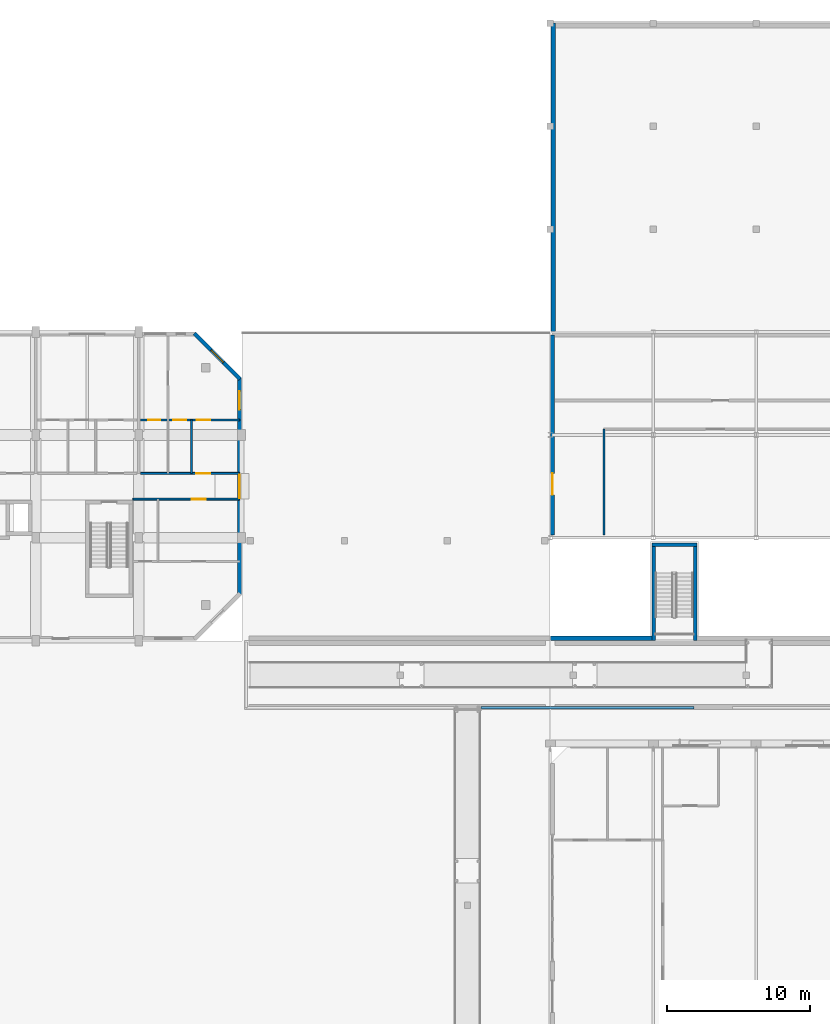
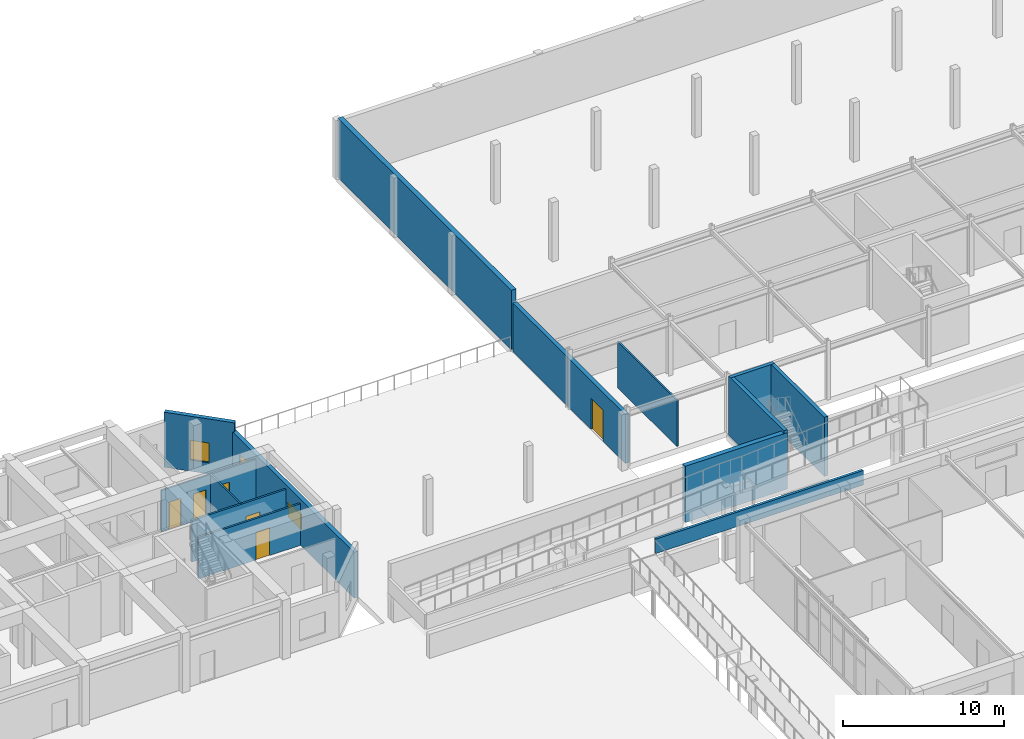
# One storey, part 62 of 85: 14 walls, 6 doors, 3 windows, 9 openings.
"""IFC4 building model written with IfcOpenShell, lengths in metres."""

from ifc_helpers import new_model, si_unit, direction, frame, frame_2d, origin, place, context, subcontext, project, spatial, rectangle, extrude, material, layer, layer_set, type_object, element, fill, save


model = new_model("IFC4")

# Units and contexts
model_context = context("Model", 3, precision=1e-05, world=origin(), true_north=direction((0.0, 1.0)))
body_context = subcontext(model_context, "Body", "Model", "MODEL_VIEW")
ifc_project = project(units=[si_unit("LENGTHUNIT", "METRE"), si_unit("AREAUNIT", "SQUARE_METRE"), si_unit("VOLUMEUNIT", "CUBIC_METRE"), si_unit("PLANEANGLEUNIT", "RADIAN"), si_unit("MASSUNIT", "GRAM", prefix="KILO")], contexts=[model_context])

# Site, building, storey
site_placement = place(None, origin())
site = spatial("IfcSite", under=ifc_project, at=site_placement, CompositionType="ELEMENT")
building_placement = place(site_placement, origin())
building = spatial("IfcBuilding", under=site, at=building_placement, Name="Ochrevale Crest", CompositionType="ELEMENT")
storey_placement = place(building_placement, origin())
storey = spatial("IfcBuildingStorey", under=building, at=storey_placement, Name="L00", CompositionType="ELEMENT", Elevation=0.0)

# Wall, opening, door
ifc_material_1 = material(Name="Gypsum plasterboard", Category="gypsum")
ifc_layer_1 = layer(ifc_material_1, 0.139892578125)
ifc_layer_set_1 = layer_set([ifc_layer_1], Name="Gypsum plasterboard")
wall_type_1 = type_object("IfcWallType", Name="WL-COR-140", PredefinedType="PARTITIONING", material=ifc_layer_set_1)
wall_1_placement = place(storey_placement, frame((28.93994140625, 83.699951171875, 0.0), z_axis=(0.0, 0.0, 1.0), x_axis=(1.0, 0.0, 0.0)))
wall_1 = element("IfcWall", 1, at=wall_1_placement, inside=storey, type_object=wall_type_1, Name="Apartment B-L00-U5 corridor wall", PredefinedType="PARTITIONING", context=body_context, shape_type="SweptSolid", body=[
    extrude(rectangle(XDim=6.920166015625, YDim=0.139892578125, at=frame_2d((3.4599609375, 0.0))), origin(), (0.0, 0.0, 1.0), 3.14990234375),
])
opening_1_placement = place(wall_1_placement, frame((3.89501953125, 0.0, 0.0)))
opening_1 = element("IfcOpeningElement", 2, at=opening_1_placement, cuts=wall_1, Name="Opening FD01", PredefinedType="OPENING", context=body_context, shape_type="SweptSolid", body=[
    extrude(rectangle(XDim=0.97998046875, YDim=2.10009765625, at=frame_2d((0.489990234375, 1.050048828125))), frame((0.0, 0.080078125, 0.0), z_axis=(0.0, -1.0, 0.0), x_axis=(1.0, 0.0, 0.0)), (0.0, 0.0, 1.0), 0.159912109375),
])
ifc_material_2 = material(Name="Solid-core FSC hardwood", Category="wood")
door_type_1 = type_object("IfcDoorType", Name="DR-APT-950", OperationType="NOTDEFINED", PredefinedType="DOOR", material=ifc_material_2)
door_1_placement = place(opening_1_placement, origin())
door_1 = element("IfcDoor", 3, at=door_1_placement, inside=storey, type_object=door_type_1, Name="Apartment B-L00-U5 entrance door", OperationType="SINGLE_SWING_LEFT", OverallHeight=2.10009765625, OverallWidth=0.97998046875, PredefinedType="DOOR", context=body_context, shape_type="SweptSolid", body=[
    extrude(rectangle(XDim=0.97998046875, YDim=2.10009765625, at=frame_2d((0.489990234375, 1.050048828125))), frame((0.0, 0.02490234375, 0.0), z_axis=(0.0, -1.0, 0.0), x_axis=(1.0, 0.0, 0.0)), (0.0, 0.0, 1.0), 0.050048828125),
])
fill(opening_1, door_1)

wall_2_placement = place(storey_placement, frame((28.389892578125, 81.89990234375, 0.0), z_axis=(0.0, 0.0, 1.0), x_axis=(1.0, 0.0, 0.0)))
wall_2 = element("IfcWall", 4, at=wall_2_placement, inside=storey, type_object=wall_type_1, Name="Suite B-L00-CE corridor wall", PredefinedType="PARTITIONING", context=body_context, shape_type="SweptSolid", body=[
    extrude(rectangle(XDim=7.47021484375, YDim=0.139892578125, at=frame_2d((3.735107421875, 0.0))), origin(), (0.0, 0.0, 1.0), 3.14990234375),
])
opening_2_placement = place(wall_2_placement, frame((4.1201171875, 0.0, 0.0)))
opening_2 = element("IfcOpeningElement", 5, at=opening_2_placement, cuts=wall_2, Name="Opening FD01", PredefinedType="OPENING", context=body_context, shape_type="SweptSolid", body=[
    extrude(rectangle(XDim=0.97998046875, YDim=2.10009765625, at=frame_2d((0.489990234375, 1.050048828125))), frame((0.0, 0.080078125, 0.0), z_axis=(0.0, -1.0, 0.0), x_axis=(1.0, 0.0, 0.0)), (0.0, 0.0, 1.0), 0.159912109375),
])
door_2_placement = place(opening_2_placement, origin())
door_2 = element("IfcDoor", 6, at=door_2_placement, inside=storey, type_object=door_type_1, Name="Suite B-L00-CE entrance door", OperationType="SINGLE_SWING_LEFT", OverallHeight=2.10009765625, OverallWidth=0.97998046875, PredefinedType="DOOR", context=body_context, shape_type="SweptSolid", body=[
    extrude(rectangle(XDim=0.97998046875, YDim=2.10009765625, at=frame_2d((0.489990234375, 1.050048828125))), frame((0.0, 0.02490234375, 0.0), z_axis=(0.0, -1.0, 0.0), x_axis=(1.0, 0.0, 0.0)), (0.0, 0.0, 1.0), 0.050048828125),
])
fill(opening_2, door_2)

# Walls
ifc_material_3 = material(Name="Precast concrete C50/60", Category="concrete")
ifc_layer_2 = layer(ifc_material_3, 0.2548828125)
ifc_layer_set_2 = layer_set([ifc_layer_2], Name="Precast concrete C50/60")
wall_type_2 = type_object("IfcWallType", Name="WL-CORE-255", PredefinedType="SHEAR", material=ifc_layer_set_2)
wall_3_placement = place(storey_placement, frame((64.695068359375, 78.7275390625, 0.0), z_axis=(0.0, 0.0, 1.0), x_axis=(1.0, 0.0, 0.0)))
element("IfcWall", 7, at=wall_3_placement, inside=storey, type_object=wall_type_2, Name="ST-CW1 courtyard stair cheek wall N", PredefinedType="SHEAR", context=body_context, shape_type="SweptSolid", body=[
    extrude(rectangle(XDim=3.159912109375, YDim=0.2548828125, at=frame_2d((1.580078125, 0.0))), origin(), (0.0, 0.0, 1.0), 4.5),
])
for number, where, z_axis, x_axis, name in (
    (8, (64.822509765625, 72.0, 0.0), (0.0, 0.0, 1.0), (0.0, 1.0, 0.0), "ST-CW1 courtyard stair cheek wall W"),
    (9, (67.7275390625, 72.0, 0.0), (0.0, 0.0, 1.0), (0.0, 1.0, 0.0), "ST-CW1 courtyard stair cheek wall E"),
):
    element("IfcWall", number, at=place(storey_placement, frame(where, z_axis=z_axis, x_axis=x_axis)), inside=storey, type_object=wall_type_2, Name=name, PredefinedType="SHEAR", context=body_context, shape_type="SweptSolid", body=[
        extrude(rectangle(XDim=6.85498046875, YDim=0.2548828125, at=frame_2d((3.427490234375, 0.0))), origin(), (0.0, 0.0, 1.0), 4.5),
    ])

# Wall, openings, windows
ifc_material_4 = material(Name="Clay face brickwork", Category="masonry")
ifc_layer_3 = layer(ifc_material_4, 0.2900390625)
ifc_layer_set_3 = layer_set([ifc_layer_3], Name="Clay face brickwork")
wall_type_3 = type_object("IfcWallType", Name="WL-EXT-BRICK-290", PredefinedType="SOLIDWALL", material=ifc_layer_set_3)
wall_4_placement = place(storey_placement, frame((35.85498046875, 75.199951171875, 0.0), z_axis=(0.0, 0.0, 1.0), x_axis=(0.0, 1.0, 0.0)))
wall_4 = element("IfcWall", 10, at=wall_4_placement, inside=storey, type_object=wall_type_3, Name="Block B L00 external facade wall E3", PredefinedType="SOLIDWALL", context=body_context, shape_type="SweptSolid", body=[
    extrude(rectangle(XDim=15.199951171875, YDim=0.2900390625, at=frame_2d((7.60009765625, 0.0))), origin(), (0.0, 0.0, 1.0), 3.47998046875),
])
opening_3_placement = place(wall_4_placement, frame((6.77490234375, 0.0, 1.050048828125)))
opening_3 = element("IfcOpeningElement", 11, at=opening_3_placement, cuts=wall_4, Name="Opening W19", PredefinedType="OPENING", context=body_context, shape_type="SweptSolid", body=[
    extrude(rectangle(XDim=1.64990234375, YDim=1.14990234375, at=frame_2d((0.824951171875, 0.574951171875))), frame((0.0, 0.155029296875, 0.0), z_axis=(0.0, -1.0, 0.0), x_axis=(1.0, 0.0, 0.0)), (0.0, 0.0, 1.0), 0.31005859375),
])
opening_4_placement = place(wall_4_placement, frame((12.9599609375, 0.0, 0.75)))
opening_4 = element("IfcOpeningElement", 12, at=opening_4_placement, cuts=wall_4, Name="Opening W30", PredefinedType="OPENING", context=body_context, shape_type="SweptSolid", body=[
    extrude(rectangle(XDim=1.300048828125, YDim=1.550048828125, at=frame_2d((0.64990234375, 0.77490234375))), frame((0.0, 0.155029296875, 0.0), z_axis=(0.0, -1.0, 0.0), x_axis=(1.0, 0.0, 0.0)), (0.0, 0.0, 1.0), 0.31005859375),
])
ifc_material_5 = material(Name="Anodised aluminium 6063-T5 and low-E double glazing", Category="aluminium")
window_type_1 = type_object("IfcWindowType", Name="WIN-W19", PartitioningType="SINGLE_PANEL", PredefinedType="WINDOW", material=ifc_material_5)
window_1_placement = place(opening_3_placement, origin())
window_1 = element("IfcWindow", 13, at=window_1_placement, inside=storey, type_object=window_type_1, Name="Block B L00 corridor end daylight window E", OverallHeight=1.14990234375, OverallWidth=1.64990234375, PartitioningType="SINGLE_PANEL", PredefinedType="WINDOW", context=body_context, shape_type="SweptSolid", body=[
    extrude(rectangle(XDim=1.64990234375, YDim=1.14990234375, at=frame_2d((0.824951171875, 0.574951171875))), frame((0.0, 0.030029296875, 0.0), z_axis=(0.0, -1.0, 0.0), x_axis=(1.0, 0.0, 0.0)), (0.0, 0.0, 1.0), 0.06005859375),
])
fill(opening_3, window_1)
window_type_2 = type_object("IfcWindowType", Name="WIN-W30", PartitioningType="SINGLE_PANEL", PredefinedType="WINDOW", material=ifc_material_5)
window_2_placement = place(opening_4_placement, origin())
window_2 = element("IfcWindow", 14, at=window_2_placement, inside=storey, type_object=window_type_2, Name="Block B L00 side suite window E", OverallHeight=1.550048828125, OverallWidth=1.300048828125, PartitioningType="SINGLE_PANEL", PredefinedType="WINDOW", context=body_context, shape_type="SweptSolid", body=[
    extrude(rectangle(XDim=1.300048828125, YDim=1.550048828125, at=frame_2d((0.64990234375, 0.77490234375))), frame((0.0, 0.030029296875, 0.0), z_axis=(0.0, -1.0, 0.0), x_axis=(1.0, 0.0, 0.0)), (0.0, 0.0, 1.0), 0.06005859375),
])
fill(opening_4, window_2)

# Wall, opening, window
wall_5_placement = place(storey_placement, frame((35.8974609375, 90.297607421875, 0.0), z_axis=(0.0, 0.0, 1.0), x_axis=(-0.707106781187, 0.707106781187, 0.0)))
wall_5 = element("IfcWall", 15, at=wall_5_placement, inside=storey, type_object=wall_type_3, Name="Block B L00 external facade wall E4", PredefinedType="SOLIDWALL", context=body_context, shape_type="SweptSolid", body=[
    extrude(rectangle(XDim=4.525390625, YDim=0.2900390625, at=frame_2d((2.2626953125, 0.0))), origin(), (0.0, 0.0, 1.0), 4.175048828125),
])
opening_5_placement = place(wall_5_placement, frame((1.652587890625, 0.0, 0.85009765625)))
opening_5 = element("IfcOpeningElement", 16, at=opening_5_placement, cuts=wall_5, Name="Opening W06", PredefinedType="OPENING", context=body_context, shape_type="SweptSolid", body=[
    extrude(rectangle(XDim=1.219970703125, YDim=1.5, at=frame_2d((0.60986328125, 0.75))), frame((0.0, 0.155029296875, 0.0), z_axis=(0.0, -1.0, 0.0), x_axis=(1.0, 0.0, 0.0)), (0.0, 0.0, 1.0), 0.31005859375),
])
window_type_3 = type_object("IfcWindowType", Name="WIN-W06", PartitioningType="SINGLE_PANEL", PredefinedType="WINDOW", material=ifc_material_5)
window_3_placement = place(opening_5_placement, origin())
window_3 = element("IfcWindow", 17, at=window_3_placement, inside=storey, type_object=window_type_3, Name="Block B L00 corner room casement window 4", OverallHeight=1.5, OverallWidth=1.219970703125, PartitioningType="SINGLE_PANEL", PredefinedType="WINDOW", context=body_context, shape_type="SweptSolid", body=[
    extrude(rectangle(XDim=1.219970703125, YDim=1.5, at=frame_2d((0.60986328125, 0.75))), frame((0.0, 0.030029296875, 0.0), z_axis=(0.0, -1.0, 0.0), x_axis=(1.0, 0.0, 0.0)), (0.0, 0.0, 1.0), 0.06005859375),
])
fill(opening_5, window_3)

# Wall, opening, door
wall_6_placement = place(storey_placement, frame((57.75, 79.39990234375, 0.0), z_axis=(0.0, 0.0, 1.0), x_axis=(0.0, 1.0, 0.0)))
wall_6 = element("IfcWall", 18, at=wall_6_placement, inside=storey, type_object=wall_type_3, Name="Nursery undercroft W brick wall", PredefinedType="SOLIDWALL", context=body_context, shape_type="SweptSolid", body=[
    extrude(rectangle(XDim=14.0, YDim=0.2900390625, at=frame_2d((7.0, 0.0))), origin(), (0.0, 0.0, 1.0), 3.701171875),
])
opening_6_placement = place(wall_6_placement, frame((2.800048828125, 0.0, 0.0)))
opening_6 = element("IfcOpeningElement", 19, at=opening_6_placement, cuts=wall_6, Name="Opening ED04", PredefinedType="OPENING", context=body_context, shape_type="SweptSolid", body=[
    extrude(rectangle(XDim=1.5, YDim=2.35009765625, at=frame_2d((0.75, 1.175048828125))), frame((0.0, 0.155029296875, 0.0), z_axis=(0.0, -1.0, 0.0), x_axis=(1.0, 0.0, 0.0)), (0.0, 0.0, 1.0), 0.31005859375),
])
ifc_material_6 = material(Name="Anodised aluminium 6063-T5 and toughened glass", Category="aluminium")
door_type_2 = type_object("IfcDoorType", Name="DR-EXT-1500", OperationType="NOTDEFINED", PredefinedType="DOOR", material=ifc_material_6)
door_3_placement = place(opening_6_placement, origin())
door_3 = element("IfcDoor", 20, at=door_3_placement, inside=storey, type_object=door_type_2, Name="Lower courtyard studios W exit door", OperationType="DOUBLE_DOOR_SINGLE_SWING", OverallHeight=2.35009765625, OverallWidth=1.5, PredefinedType="DOOR", context=body_context, shape_type="SweptSolid", body=[
    extrude(rectangle(XDim=1.5, YDim=2.35009765625, at=frame_2d((0.75, 1.175048828125))), frame((0.0, 0.02490234375, 0.0), z_axis=(0.0, -1.0, 0.0), x_axis=(1.0, 0.0, 0.0)), (0.0, 0.0, 1.0), 0.050048828125),
])
fill(opening_6, door_3)

# Walls
ifc_layer_4 = layer(ifc_material_4, 0.179931640625)
ifc_layer_set_4 = layer_set([ifc_layer_4], Name="Clay face brickwork")
wall_type_4 = type_object("IfcWallType", Name="WL-PARAPET-180", PredefinedType="PARAPET", material=ifc_layer_set_4)
wall_7_placement = place(storey_placement, frame((52.75, 67.320068359375, 2.25), z_axis=(0.0, 0.0, 1.0), x_axis=(1.0, 0.0, 0.0)))
element("IfcWall", 21, at=wall_7_placement, inside=storey, type_object=wall_type_4, Name="Hillside Step 2 amphitheatre parapet 2", PredefinedType="PARAPET", context=body_context, shape_type="SweptSolid", body=[
    extrude(rectangle(XDim=14.89990234375, YDim=0.179931640625, at=frame_2d((7.449951171875, 0.0))), origin(), (0.0, 0.0, 1.0), 1.10009765625),
])
ifc_layer_5 = layer(ifc_material_1, 0.1201171875)
ifc_layer_set_5 = layer_set([ifc_layer_5], Name="Gypsum plasterboard")
wall_type_5 = type_object("IfcWallType", Name="WL-PART-120", PredefinedType="PARTITIONING", material=ifc_layer_set_5)
wall_8_placement = place(storey_placement, frame((61.35009765625, 79.39990234375, 0.0), z_axis=(0.0, 0.0, 1.0), x_axis=(0.0, 1.0, 0.0)))
element("IfcWall", 22, at=wall_8_placement, inside=storey, type_object=wall_type_5, Name="Lower studio divider", PredefinedType="PARTITIONING", context=body_context, shape_type="SweptSolid", body=[
    extrude(rectangle(XDim=7.400146484375, YDim=0.1201171875, at=frame_2d((3.7001953125, 0.0))), origin(), (0.0, 0.0, 1.0), 3.5),
])
wall_9_placement = place(storey_placement, frame((32.5, 83.699951171875, 0.0), z_axis=(0.0, 0.0, 1.0), x_axis=(0.0, 1.0, 0.0)))
element("IfcWall", 23, at=wall_9_placement, inside=storey, type_object=wall_type_5, Name="Apartment B-L00-U5 kitchen-foyer wall", PredefinedType="PARTITIONING", context=body_context, shape_type="SweptSolid", body=[
    extrude(rectangle(XDim=3.75, YDim=0.1201171875, at=frame_2d((1.875, 0.0))), origin(), (0.0, 0.0, 1.0), 3.14990234375),
])

# Wall, openings, doors
wall_10_placement = place(storey_placement, frame((28.93994140625, 87.449951171875, 0.0), z_axis=(0.0, 0.0, 1.0), x_axis=(1.0, 0.0, 0.0)))
wall_10 = element("IfcWall", 24, at=wall_10_placement, inside=storey, type_object=wall_type_5, Name="Apartment B-L00-U5 central partition", PredefinedType="PARTITIONING", context=body_context, shape_type="SweptSolid", body=[
    extrude(rectangle(XDim=6.920166015625, YDim=0.1201171875, at=frame_2d((3.4599609375, 0.0))), origin(), (0.0, 0.0, 1.0), 3.14990234375),
])
opening_7_placement = place(wall_10_placement, frame((1.380126953125, 0.0, 0.0), z_axis=(0.0, 0.0, 1.0), x_axis=(-1.0, 0.0, 0.0)))
opening_7 = element("IfcOpeningElement", 25, at=opening_7_placement, cuts=wall_10, Name="Opening ID01", PredefinedType="OPENING", context=body_context, shape_type="SweptSolid", body=[
    extrude(rectangle(XDim=0.85009765625, YDim=2.080078125, at=frame_2d((0.425048828125, 1.0400390625))), frame((0.0, 0.070068359375, 0.0), z_axis=(0.0, -1.0, 0.0), x_axis=(1.0, 0.0, 0.0)), (0.0, 0.0, 1.0), 0.14013671875),
])
opening_8_placement = place(wall_10_placement, frame((2.284912109375, 0.0, 0.0)))
opening_8 = element("IfcOpeningElement", 26, at=opening_8_placement, cuts=wall_10, Name="Opening ID02", PredefinedType="OPENING", context=body_context, shape_type="SweptSolid", body=[
    extrude(rectangle(XDim=0.89990234375, YDim=2.080078125, at=frame_2d((0.449951171875, 1.0400390625))), frame((0.0, 0.070068359375, 0.0), z_axis=(0.0, -1.0, 0.0), x_axis=(1.0, 0.0, 0.0)), (0.0, 0.0, 1.0), 0.14013671875),
])
opening_9_placement = place(wall_10_placement, frame((4.85986328125, 0.0, 0.0), z_axis=(0.0, 0.0, 1.0), x_axis=(-1.0, 0.0, 0.0)))
opening_9 = element("IfcOpeningElement", 27, at=opening_9_placement, cuts=wall_10, Name="Opening ID06", PredefinedType="OPENING", context=body_context, shape_type="SweptSolid", body=[
    extrude(rectangle(XDim=0.949951171875, YDim=2.080078125, at=frame_2d((0.47509765625, 1.0400390625))), frame((0.0, 0.070068359375, 0.0), z_axis=(0.0, -1.0, 0.0), x_axis=(1.0, 0.0, 0.0)), (0.0, 0.0, 1.0), 0.14013671875),
])
door_type_3 = type_object("IfcDoorType", Name="DR-INT-900", OperationType="NOTDEFINED", PredefinedType="DOOR", material=ifc_material_2)
door_4_placement = place(opening_8_placement, origin())
door_4 = element("IfcDoor", 28, at=door_4_placement, inside=storey, type_object=door_type_3, Name="Apartment B-L00-U5 Kitchen door", OperationType="SINGLE_SWING_LEFT", OverallHeight=2.080078125, OverallWidth=0.89990234375, PredefinedType="DOOR", context=body_context, shape_type="SweptSolid", body=[
    extrude(rectangle(XDim=0.89990234375, YDim=2.080078125, at=frame_2d((0.449951171875, 1.0400390625))), frame((0.0, 0.02490234375, 0.0), z_axis=(0.0, -1.0, 0.0), x_axis=(1.0, 0.0, 0.0)), (0.0, 0.0, 1.0), 0.050048828125),
])
fill(opening_8, door_4)
door_type_4 = type_object("IfcDoorType", Name="DR-INT-950", OperationType="NOTDEFINED", PredefinedType="DOOR", material=ifc_material_2)
door_5_placement = place(opening_9_placement, origin())
door_5 = element("IfcDoor", 29, at=door_5_placement, inside=storey, type_object=door_type_4, Name="Apartment B-L00-U5 Living Foyer door", OperationType="SINGLE_SWING_RIGHT", OverallHeight=2.080078125, OverallWidth=0.949951171875, PredefinedType="DOOR", context=body_context, shape_type="SweptSolid", body=[
    extrude(rectangle(XDim=0.949951171875, YDim=2.080078125, at=frame_2d((0.47509765625, 1.0400390625))), frame((0.0, 0.02490234375, 0.0), z_axis=(0.0, -1.0, 0.0), x_axis=(1.0, 0.0, 0.0)), (0.0, 0.0, 1.0), 0.050048828125),
])
fill(opening_9, door_5)
door_type_5 = type_object("IfcDoorType", Name="DR-WC-850", OperationType="NOTDEFINED", PredefinedType="DOOR", material=ifc_material_2)
door_6_placement = place(opening_7_placement, origin())
door_6 = element("IfcDoor", 30, at=door_6_placement, inside=storey, type_object=door_type_5, Name="Apartment B-L00-U5 Bathroom door", OperationType="SINGLE_SWING_RIGHT", OverallHeight=2.080078125, OverallWidth=0.85009765625, PredefinedType="DOOR", context=body_context, shape_type="SweptSolid", body=[
    extrude(rectangle(XDim=0.85009765625, YDim=2.080078125, at=frame_2d((0.425048828125, 1.0400390625))), frame((0.0, 0.02490234375, 0.0), z_axis=(0.0, -1.0, 0.0), x_axis=(1.0, 0.0, 0.0)), (0.0, 0.0, 1.0), 0.050048828125),
])
fill(opening_7, door_6)

# Walls
ifc_material_7 = material(Name="Concrete C40/50", Category="concrete")
ifc_layer_6 = layer(ifc_material_7, 0.340087890625)
ifc_layer_set_6 = layer_set([ifc_layer_6], Name="Concrete C40/50")
wall_type_6 = type_object("IfcWallType", Name="WL-RET-340", PredefinedType="USERDEFINED", material=ifc_layer_set_6)
wall_11_placement = place(storey_placement, frame((57.625, 72.169921875, 0.0), z_axis=(0.0, 0.0, 1.0), x_axis=(1.0, 0.0, 0.0)))
element("IfcWall", 31, at=wall_11_placement, inside=storey, type_object=wall_type_6, Name="Hillside Step 3 south retaining wall 2", ObjectType="RETAININGWALL", PredefinedType="USERDEFINED", context=body_context, shape_type="SweptSolid", body=[
    extrude(rectangle(XDim=7.324951171875, YDim=0.340087890625, at=frame_2d((3.66259765625, 0.0))), origin(), (0.0, 0.0, 1.0), 4.27490234375),
])
wall_12_placement = place(storey_placement, frame((57.800048828125, 93.6201171875, 0.0), z_axis=(0.0, 0.0, 1.0), x_axis=(0.0, 1.0, 0.0)))
element("IfcWall", 32, at=wall_12_placement, inside=storey, type_object=wall_type_6, Name="Nursery play court west retaining wall", ObjectType="RETAININGWALL", PredefinedType="USERDEFINED", context=body_context, shape_type="SweptSolid", body=[
    extrude(rectangle(XDim=21.579833984375, YDim=0.340087890625, at=frame_2d((10.7900390625, 0.0))), origin(), (0.0, 0.0, 1.0), 4.5),
])

save(model, "model.ifc")
